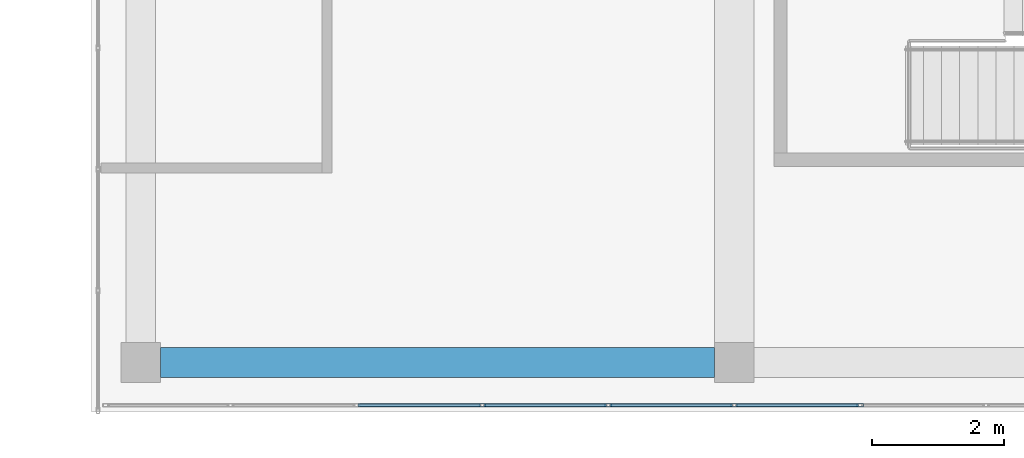
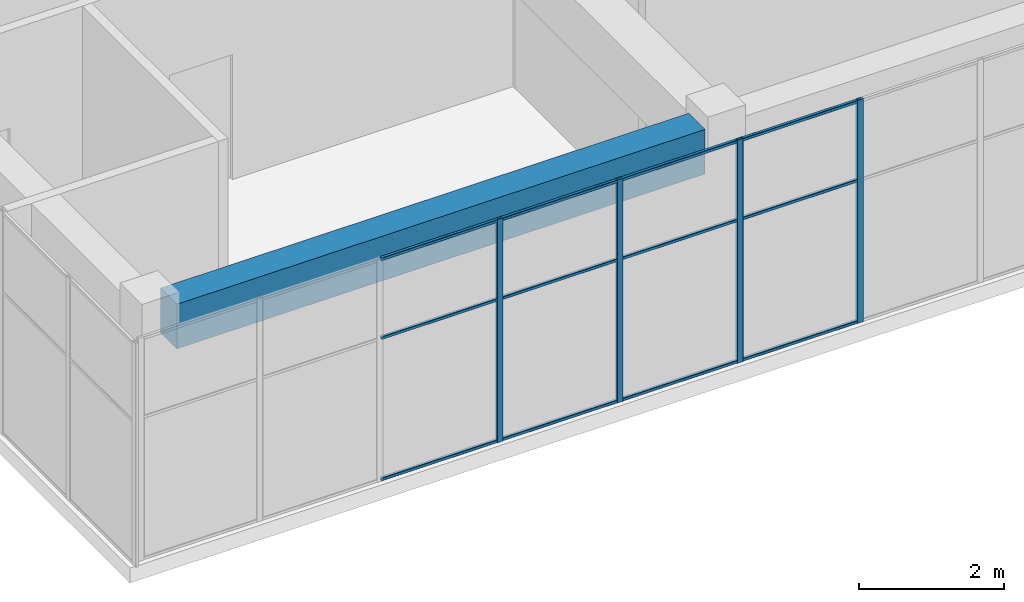
# One storey, part 6 of 35: 16 members, 1 beam, 1 element without a shape of its own.
"""IFC4 building model written with IfcOpenShell, lengths in metres."""

from ifc_helpers import new_model, si_unit, direction, frame, origin, origin_2d, place, context, subcontext, project, spatial, rectangle, hollow_rectangle, extrude, material, layer, layer_set, material_profile, profile_set, type_object, element, aggregate, save


model = new_model("IFC4")

# Units and contexts
model_context = context("Model", 3, precision=1e-05, world=origin(), true_north=direction((0.0, 1.0)))
body_context = subcontext(model_context, "Body", "Model", "MODEL_VIEW")
ifc_project = project(units=[si_unit("LENGTHUNIT", "METRE"), si_unit("AREAUNIT", "SQUARE_METRE"), si_unit("VOLUMEUNIT", "CUBIC_METRE"), si_unit("PLANEANGLEUNIT", "RADIAN"), si_unit("MASSUNIT", "GRAM", prefix="KILO")], contexts=[model_context])

# Site, building, storey
site_placement = place(None, origin())
site = spatial("IfcSite", under=ifc_project, at=site_placement, CompositionType="ELEMENT")
building_placement = place(site_placement, origin())
building = spatial("IfcBuilding", under=site, at=building_placement, Name="Tuart Plaza Theatre", CompositionType="ELEMENT")
storey_placement = place(building_placement, frame((0.0, 0.0, 45.5)))
storey = spatial("IfcBuildingStorey", under=building, at=storey_placement, Name="L11", CompositionType="ELEMENT", Elevation=45.5)

# Beam
ifc_material_1 = material(Name="Concrete N40 (40 MPa)", Category="concrete")
ifc_material_profile_1 = material_profile(ifc_material_1, rectangle(XDim=0.449951171875, YDim=0.75, at=origin_2d()), Name="BEAM 450x750 Concrete N40 (40 MPa)")
ifc_profile_set_1 = profile_set([ifc_material_profile_1], Name="Concrete N40 (40 MPa)")
beam_type = type_object("IfcBeamType", Name="BEAM 450x750 Concrete N40 (40 MPa)", PredefinedType="BEAM", material=ifc_profile_set_1)
beam_placement = place(storey_placement, frame((123.300048828125, 56.0, 3.375), z_axis=(1.0, 0.0, 0.0), x_axis=(0.0, 1.0, 0.0)))
element("IfcBeam", 1, at=beam_placement, inside=storey, type_object=beam_type, Name="RB297", PredefinedType="BEAM", context=body_context, shape_type="SweptSolid", body=[
    extrude(rectangle(XDim=0.449951171875, YDim=0.75, at=origin_2d()), origin(), (0.0, 0.0, 1.0), 8.39990234375),
])

# Curtain wall, members
ifc_material_2 = material(Name="Aluminium and glass", Category="aluminium")
ifc_layer = layer(ifc_material_2, 0.10009765625)
ifc_layer_set = layer_set([ifc_layer], Name="CURTAIN WALL 2000 module")
curtain_wall_type = type_object("IfcCurtainWallType", Name="CURTAIN WALL 2000 module", PredefinedType="NOTDEFINED", material=ifc_layer_set)
curtain_wall_placement = place(storey_placement, origin())
curtain_wall = element("IfcCurtainWall", 2, at=curtain_wall_placement, inside=storey, type_object=curtain_wall_type, Name="CW111", PredefinedType="NOTDEFINED")
ifc_material_3 = material(Name="Aluminium 6063-T5", Category="aluminium")
ifc_material_profile_2 = material_profile(ifc_material_3, hollow_rectangle(XDim=0.050048828125, YDim=0.10009765625, WallThickness=0.00390625, InnerFilletRadius=0.00390625, OuterFilletRadius=0.008056640625, at=origin_2d()), Name="RHS 100x50x4")
ifc_profile_set_2 = profile_set([ifc_material_profile_2], Name="Aluminium 6063-T5")
member_type_1 = type_object("IfcMemberType", Name="MULLION RHS 100x50x4", PredefinedType="MULLION", material=ifc_profile_set_2)
member_1_placement = place(storey_placement, frame((128.179931640625, 55.35009765625, 0.0), z_axis=(0.0, 0.0, 1.0), x_axis=(0.0, 1.0, 0.0)))
member_1 = element("IfcMember", 3, at=member_1_placement, type_object=member_type_1, Name="CW111 mullion 4", PredefinedType="MULLION", context=body_context, shape_type="SweptSolid", body=[
    extrude(hollow_rectangle(XDim=0.050048828125, YDim=0.10009765625, WallThickness=0.00390625, InnerFilletRadius=0.00390625, OuterFilletRadius=0.008056640625, at=origin_2d()), origin(), (0.0, 0.0, 1.0), 3.75),
])
member_2_placement = place(storey_placement, frame((130.090087890625, 55.35009765625, 0.0), z_axis=(0.0, 0.0, 1.0), x_axis=(0.0, 1.0, 0.0)))
member_2 = element("IfcMember", 4, at=member_2_placement, type_object=member_type_1, Name="CW111 mullion 5", PredefinedType="MULLION", context=body_context, shape_type="SweptSolid", body=[
    extrude(hollow_rectangle(XDim=0.050048828125, YDim=0.10009765625, WallThickness=0.00390625, InnerFilletRadius=0.00390625, OuterFilletRadius=0.008056640625, at=origin_2d()), origin(), (0.0, 0.0, 1.0), 3.75),
])
member_3_placement = place(storey_placement, frame((132.0, 55.35009765625, 0.0), z_axis=(0.0, 0.0, 1.0), x_axis=(0.0, 1.0, 0.0)))
member_3 = element("IfcMember", 5, at=member_3_placement, type_object=member_type_1, Name="CW111 mullion 6", PredefinedType="MULLION", context=body_context, shape_type="SweptSolid", body=[
    extrude(hollow_rectangle(XDim=0.050048828125, YDim=0.10009765625, WallThickness=0.00390625, InnerFilletRadius=0.00390625, OuterFilletRadius=0.008056640625, at=origin_2d()), origin(), (0.0, 0.0, 1.0), 3.75),
])
member_4_placement = place(storey_placement, frame((133.909912109375, 55.35009765625, 0.0), z_axis=(0.0, 0.0, 1.0), x_axis=(0.0, 1.0, 0.0)))
member_4 = element("IfcMember", 6, at=member_4_placement, type_object=member_type_1, Name="CW111 mullion 7", PredefinedType="MULLION", context=body_context, shape_type="SweptSolid", body=[
    extrude(hollow_rectangle(XDim=0.050048828125, YDim=0.10009765625, WallThickness=0.00390625, InnerFilletRadius=0.00390625, OuterFilletRadius=0.008056640625, at=origin_2d()), origin(), (0.0, 0.0, 1.0), 3.75),
])
ifc_material_4 = material(Name="Aluminium 6063-T5", Category="aluminium")
ifc_material_profile_3 = material_profile(ifc_material_4, hollow_rectangle(XDim=0.050048828125, YDim=0.050048828125, WallThickness=0.00390625, InnerFilletRadius=0.00390625, OuterFilletRadius=0.008056640625, at=origin_2d()), Name="RHS 50x50x4")
ifc_profile_set_3 = profile_set([ifc_material_profile_3], Name="Aluminium 6063-T5")
member_type_2 = type_object("IfcMemberType", Name="TRANSOM RHS 50x50x4", PredefinedType="USERDEFINED", material=ifc_profile_set_3)
member_5_placement = place(storey_placement, frame((126.294921875, 55.35009765625, 0.02490234375), z_axis=(1.0, 0.0, 0.0), x_axis=(0.0, 1.0, 0.0)))
member_5 = element("IfcMember", 7, at=member_5_placement, type_object=member_type_2, Name="CW111 transom 3.1", ObjectType="TRANSOM", PredefinedType="USERDEFINED", context=body_context, shape_type="SweptSolid", body=[
    extrude(hollow_rectangle(XDim=0.050048828125, YDim=0.050048828125, WallThickness=0.00390625, InnerFilletRadius=0.00390625, OuterFilletRadius=0.008056640625, at=origin_2d()), origin(), (0.0, 0.0, 1.0), 1.860107421875),
])
member_6_placement = place(storey_placement, frame((126.294921875, 55.35009765625, 2.39990234375), z_axis=(1.0, 0.0, 0.0), x_axis=(0.0, 1.0, 0.0)))
member_6 = element("IfcMember", 8, at=member_6_placement, type_object=member_type_2, Name="CW111 transom 3.2", ObjectType="TRANSOM", PredefinedType="USERDEFINED", context=body_context, shape_type="SweptSolid", body=[
    extrude(hollow_rectangle(XDim=0.050048828125, YDim=0.050048828125, WallThickness=0.00390625, InnerFilletRadius=0.00390625, OuterFilletRadius=0.008056640625, at=origin_2d()), origin(), (0.0, 0.0, 1.0), 1.860107421875),
])
member_7_placement = place(storey_placement, frame((126.294921875, 55.35009765625, 3.72509765625), z_axis=(1.0, 0.0, 0.0), x_axis=(0.0, 1.0, 0.0)))
member_7 = element("IfcMember", 9, at=member_7_placement, type_object=member_type_2, Name="CW111 transom 3.3", ObjectType="TRANSOM", PredefinedType="USERDEFINED", context=body_context, shape_type="SweptSolid", body=[
    extrude(hollow_rectangle(XDim=0.050048828125, YDim=0.050048828125, WallThickness=0.00390625, InnerFilletRadius=0.00390625, OuterFilletRadius=0.008056640625, at=origin_2d()), origin(), (0.0, 0.0, 1.0), 1.860107421875),
])
member_8_placement = place(storey_placement, frame((128.205078125, 55.35009765625, 0.02490234375), z_axis=(1.0, 0.0, 0.0), x_axis=(0.0, 1.0, 0.0)))
member_8 = element("IfcMember", 10, at=member_8_placement, type_object=member_type_2, Name="CW111 transom 4.1", ObjectType="TRANSOM", PredefinedType="USERDEFINED", context=body_context, shape_type="SweptSolid", body=[
    extrude(hollow_rectangle(XDim=0.050048828125, YDim=0.050048828125, WallThickness=0.00390625, InnerFilletRadius=0.00390625, OuterFilletRadius=0.008056640625, at=origin_2d()), origin(), (0.0, 0.0, 1.0), 1.85986328125),
])
member_9_placement = place(storey_placement, frame((128.205078125, 55.35009765625, 2.39990234375), z_axis=(1.0, 0.0, 0.0), x_axis=(0.0, 1.0, 0.0)))
member_9 = element("IfcMember", 11, at=member_9_placement, type_object=member_type_2, Name="CW111 transom 4.2", ObjectType="TRANSOM", PredefinedType="USERDEFINED", context=body_context, shape_type="SweptSolid", body=[
    extrude(hollow_rectangle(XDim=0.050048828125, YDim=0.050048828125, WallThickness=0.00390625, InnerFilletRadius=0.00390625, OuterFilletRadius=0.008056640625, at=origin_2d()), origin(), (0.0, 0.0, 1.0), 1.85986328125),
])
member_10_placement = place(storey_placement, frame((128.205078125, 55.35009765625, 3.72509765625), z_axis=(1.0, 0.0, 0.0), x_axis=(0.0, 1.0, 0.0)))
member_10 = element("IfcMember", 12, at=member_10_placement, type_object=member_type_2, Name="CW111 transom 4.3", ObjectType="TRANSOM", PredefinedType="USERDEFINED", context=body_context, shape_type="SweptSolid", body=[
    extrude(hollow_rectangle(XDim=0.050048828125, YDim=0.050048828125, WallThickness=0.00390625, InnerFilletRadius=0.00390625, OuterFilletRadius=0.008056640625, at=origin_2d()), origin(), (0.0, 0.0, 1.0), 1.85986328125),
])
member_11_placement = place(storey_placement, frame((130.114990234375, 55.35009765625, 0.02490234375), z_axis=(1.0, 0.0, 0.0), x_axis=(0.0, 1.0, 0.0)))
member_11 = element("IfcMember", 13, at=member_11_placement, type_object=member_type_2, Name="CW111 transom 5.1", ObjectType="TRANSOM", PredefinedType="USERDEFINED", context=body_context, shape_type="SweptSolid", body=[
    extrude(hollow_rectangle(XDim=0.050048828125, YDim=0.050048828125, WallThickness=0.00390625, InnerFilletRadius=0.00390625, OuterFilletRadius=0.008056640625, at=origin_2d()), origin(), (0.0, 0.0, 1.0), 1.860107421875),
])
member_12_placement = place(storey_placement, frame((130.114990234375, 55.35009765625, 2.39990234375), z_axis=(1.0, 0.0, 0.0), x_axis=(0.0, 1.0, 0.0)))
member_12 = element("IfcMember", 14, at=member_12_placement, type_object=member_type_2, Name="CW111 transom 5.2", ObjectType="TRANSOM", PredefinedType="USERDEFINED", context=body_context, shape_type="SweptSolid", body=[
    extrude(hollow_rectangle(XDim=0.050048828125, YDim=0.050048828125, WallThickness=0.00390625, InnerFilletRadius=0.00390625, OuterFilletRadius=0.008056640625, at=origin_2d()), origin(), (0.0, 0.0, 1.0), 1.860107421875),
])
member_13_placement = place(storey_placement, frame((130.114990234375, 55.35009765625, 3.72509765625), z_axis=(1.0, 0.0, 0.0), x_axis=(0.0, 1.0, 0.0)))
member_13 = element("IfcMember", 15, at=member_13_placement, type_object=member_type_2, Name="CW111 transom 5.3", ObjectType="TRANSOM", PredefinedType="USERDEFINED", context=body_context, shape_type="SweptSolid", body=[
    extrude(hollow_rectangle(XDim=0.050048828125, YDim=0.050048828125, WallThickness=0.00390625, InnerFilletRadius=0.00390625, OuterFilletRadius=0.008056640625, at=origin_2d()), origin(), (0.0, 0.0, 1.0), 1.860107421875),
])
member_14_placement = place(storey_placement, frame((132.02490234375, 55.35009765625, 0.02490234375), z_axis=(1.0, 0.0, 0.0), x_axis=(0.0, 1.0, 0.0)))
member_14 = element("IfcMember", 16, at=member_14_placement, type_object=member_type_2, Name="CW111 transom 6.1", ObjectType="TRANSOM", PredefinedType="USERDEFINED", context=body_context, shape_type="SweptSolid", body=[
    extrude(hollow_rectangle(XDim=0.050048828125, YDim=0.050048828125, WallThickness=0.00390625, InnerFilletRadius=0.00390625, OuterFilletRadius=0.008056640625, at=origin_2d()), origin(), (0.0, 0.0, 1.0), 1.860107421875),
])
member_15_placement = place(storey_placement, frame((132.02490234375, 55.35009765625, 2.39990234375), z_axis=(1.0, 0.0, 0.0), x_axis=(0.0, 1.0, 0.0)))
member_15 = element("IfcMember", 17, at=member_15_placement, type_object=member_type_2, Name="CW111 transom 6.2", ObjectType="TRANSOM", PredefinedType="USERDEFINED", context=body_context, shape_type="SweptSolid", body=[
    extrude(hollow_rectangle(XDim=0.050048828125, YDim=0.050048828125, WallThickness=0.00390625, InnerFilletRadius=0.00390625, OuterFilletRadius=0.008056640625, at=origin_2d()), origin(), (0.0, 0.0, 1.0), 1.860107421875),
])
member_16_placement = place(storey_placement, frame((132.02490234375, 55.35009765625, 3.72509765625), z_axis=(1.0, 0.0, 0.0), x_axis=(0.0, 1.0, 0.0)))
member_16 = element("IfcMember", 18, at=member_16_placement, type_object=member_type_2, Name="CW111 transom 6.3", ObjectType="TRANSOM", PredefinedType="USERDEFINED", context=body_context, shape_type="SweptSolid", body=[
    extrude(hollow_rectangle(XDim=0.050048828125, YDim=0.050048828125, WallThickness=0.00390625, InnerFilletRadius=0.00390625, OuterFilletRadius=0.008056640625, at=origin_2d()), origin(), (0.0, 0.0, 1.0), 1.860107421875),
])
aggregate(curtain_wall, [member_1, member_2, member_3, member_4, member_5, member_6, member_7, member_8, member_9, member_10, member_11, member_12, member_13, member_14, member_15, member_16])

save(model, "model.ifc")
